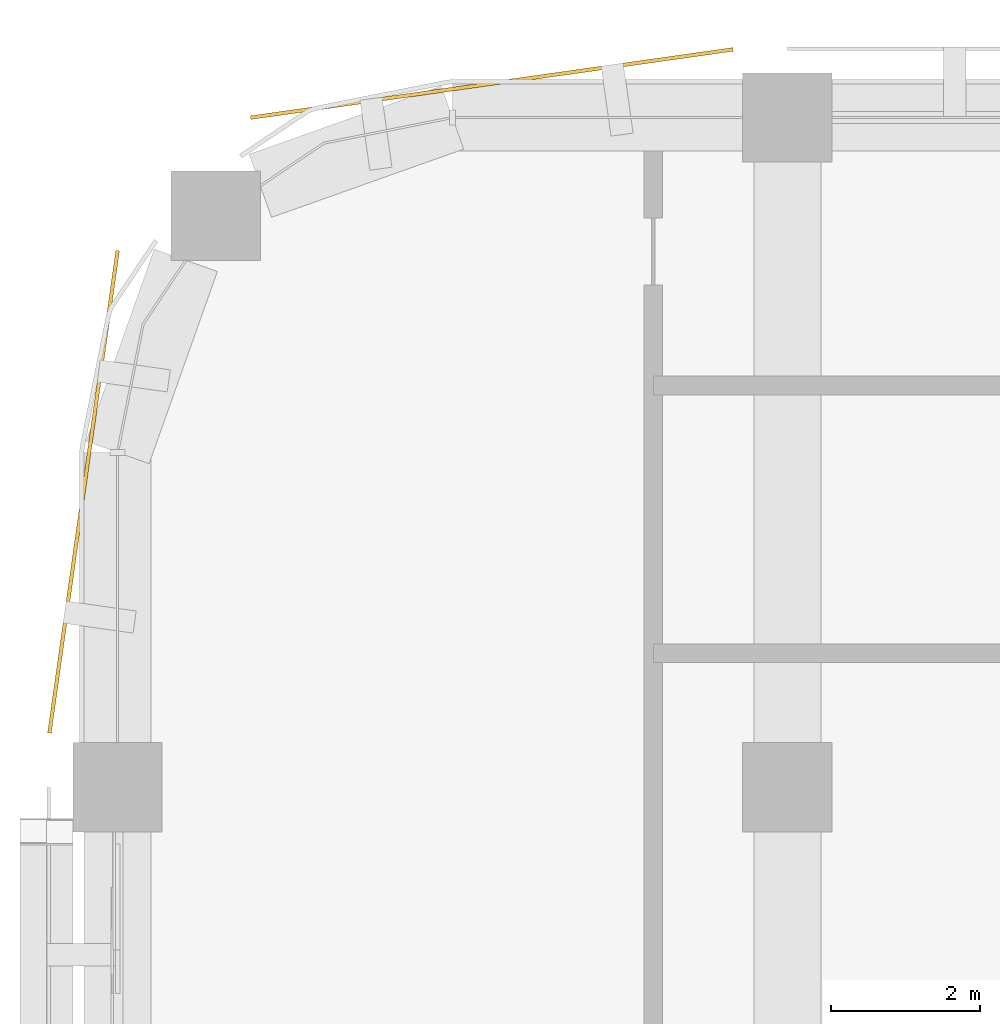
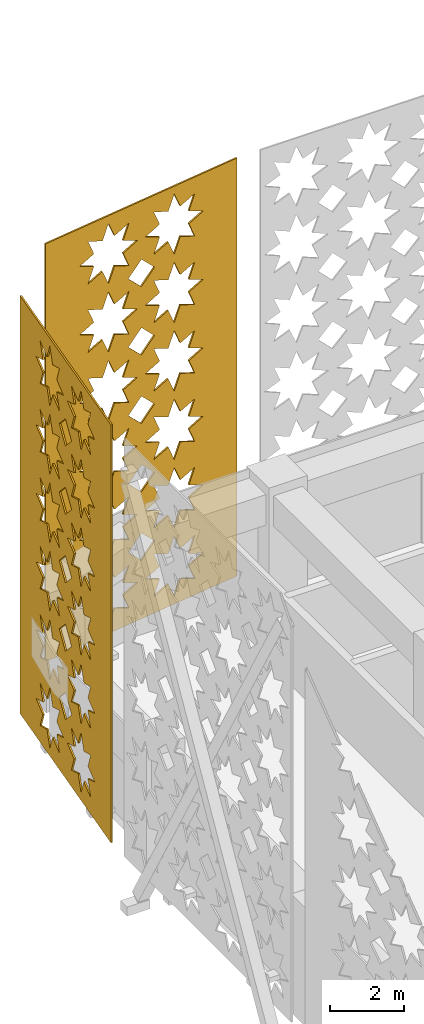
# One storey, part 13 of 17: 2 coverings.
"""IFC4 building model written with IfcOpenShell, lengths in metres."""

from ifc_helpers import new_model, si_unit, direction, frame, origin, place, context, subcontext, project, spatial, polyline, outline, extrude, material, layer, layer_set, type_object, element, save


model = new_model("IFC4")

# Units and contexts
model_context = context("Model", 3, precision=1e-05, world=origin(), true_north=direction((0.0, 1.0)))
body_context = subcontext(model_context, "Body", "Model", "MODEL_VIEW")
ifc_project = project(units=[si_unit("LENGTHUNIT", "METRE"), si_unit("AREAUNIT", "SQUARE_METRE"), si_unit("VOLUMEUNIT", "CUBIC_METRE"), si_unit("PLANEANGLEUNIT", "RADIAN"), si_unit("MASSUNIT", "GRAM", prefix="KILO")], contexts=[model_context])

# Site, building, storey
site_placement = place(None, origin())
site = spatial("IfcSite", under=ifc_project, at=site_placement, CompositionType="ELEMENT")
building_placement = place(site_placement, origin())
building = spatial("IfcBuilding", under=site, at=building_placement, Name="Tessera Arch", CompositionType="ELEMENT")
storey_placement = place(building_placement, frame((0.0, 0.0, 281.300048828125)))
storey = spatial("IfcBuildingStorey", under=building, at=storey_placement, Name="L68", CompositionType="ELEMENT", Elevation=281.300048828125)

# Coverings
ifc_material = material(Name="Anodised aluminium pale metal", Category="aluminium")
ifc_layer = layer(ifc_material, 0.050048828125)
ifc_layer_set = layer_set([ifc_layer], Name="Pierced screen panel corner bay")
covering_type = type_object("IfcCoveringType", Name="Pierced screen panel corner bay", PredefinedType="CLADDING", material=ifc_layer_set)
covering_1_placement = place(storey_placement, frame((26.27392578125, 54.89111328125, 13.89990234375), z_axis=(0.140074186016, -0.990141011378, 0.0), x_axis=(-0.990141011378, -0.140074186016, 0.0)))
element("IfcCovering", 1, at=covering_1_placement, inside=storey, type_object=covering_type, Name="SCREEN pierced panel N54.18/3 L68-L70", PredefinedType="CLADDING", context=body_context, shape_type="SweptSolid", body=[
    extrude(outline(polyline([(0.0, 0.0), (6.546475218445481, 0.0), (6.546475218445481, 13.739990234375), (0.0, 13.739990234375), (0.0, 0.0)]), holes=[polyline([(3.1378926073747033, 12.494873046875), (2.646957140062835, 12.287841796875), (2.8479028079497066, 11.794921875), (2.354999273675671, 11.995849609375), (2.147907671256942, 11.5048828125), (1.941990539265672, 11.995849609375), (1.4481200704102128, 11.794921875), (1.6490657382970841, 12.287841796875), (1.158130270985216, 12.494873046875), (1.6490657382970841, 12.701904296875), (1.4481200704102128, 13.195068359375), (1.941990539265672, 12.993896484375), (2.147907671256942, 13.48486328125), (2.354999273675671, 12.993896484375), (2.8479028079497066, 13.195068359375), (2.646957140062835, 12.701904296875), (3.1378926073747033, 12.494873046875)]), polyline([(3.1378926073747033, 10.244873046875), (2.646957140062835, 10.037841796875), (2.8479028079497066, 9.544921875), (2.354999273675671, 9.745849609375), (2.147907671256942, 9.2548828125), (1.941990539265672, 9.745849609375), (1.4481200704102128, 9.544921875), (1.6490657382970841, 10.037841796875), (1.158130270985216, 10.244873046875), (1.6490657382970841, 10.451904296875), (1.4481200704102128, 10.945068359375), (1.941990539265672, 10.743896484375), (2.147907671256942, 11.23486328125), (2.354999273675671, 10.743896484375), (2.8479028079497066, 10.945068359375), (2.646957140062835, 10.451904296875), (3.1378926073747033, 10.244873046875)]), polyline([(3.1378926073747033, 7.994873046875), (2.646957140062835, 7.787841796875), (2.8479028079497066, 7.294921875), (2.354999273675671, 7.495849609375), (2.147907671256942, 7.0048828125), (1.941990539265672, 7.495849609375), (1.4481200704102128, 7.294921875), (1.6490657382970841, 7.787841796875), (1.158130270985216, 7.994873046875), (1.6490657382970841, 8.201904296875), (1.4481200704102128, 8.695068359375), (1.941990539265672, 8.493896484375), (2.147907671256942, 8.98486328125), (2.354999273675671, 8.493896484375), (2.8479028079497066, 8.695068359375), (2.646957140062835, 8.201904296875), (3.1378926073747033, 7.994873046875)]), polyline([(3.1378926073747033, 5.744873046875), (2.646957140062835, 5.537841796875), (2.8479028079497066, 5.044921875), (2.354999273675671, 5.245849609375), (2.147907671256942, 4.7548828125), (1.941990539265672, 5.245849609375), (1.4481200704102128, 5.044921875), (1.6490657382970841, 5.537841796875), (1.158130270985216, 5.744873046875), (1.6490657382970841, 5.951904296875), (1.4481200704102128, 6.445068359375), (1.941990539265672, 6.243896484375), (2.147907671256942, 6.73486328125), (2.354999273675671, 6.243896484375), (2.8479028079497066, 6.445068359375), (2.646957140062835, 5.951904296875), (3.1378926073747033, 5.744873046875)]), polyline([(3.1378926073747033, 3.494873046875), (2.646957140062835, 3.287841796875), (2.8479028079497066, 2.794921875), (2.354999273675671, 2.995849609375), (2.147907671256942, 2.5048828125), (1.941990539265672, 2.995849609375), (1.4481200704102128, 2.794921875), (1.6490657382970841, 3.287841796875), (1.158130270985216, 3.494873046875), (1.6490657382970841, 3.701904296875), (1.4481200704102128, 4.195068359375), (1.941990539265672, 3.993896484375), (2.147907671256942, 4.48486328125), (2.354999273675671, 3.993896484375), (2.8479028079497066, 4.195068359375), (2.646957140062835, 3.701904296875), (3.1378926073747033, 3.494873046875)]), polyline([(3.1378926073747033, 1.244873046875), (2.646957140062835, 1.037841796875), (2.8479028079497066, 0.544921875), (2.354999273675671, 0.745849609375), (2.147907671256942, 0.2548828125), (1.941990539265672, 0.745849609375), (1.4481200704102128, 0.544921875), (1.6490657382970841, 1.037841796875), (1.158130270985216, 1.244873046875), (1.6490657382970841, 1.451904296875), (1.4481200704102128, 1.945068359375), (1.941990539265672, 1.743896484375), (2.147907671256942, 2.23486328125), (2.354999273675671, 1.743896484375), (2.8479028079497066, 1.945068359375), (2.646957140062835, 1.451904296875), (3.1378926073747033, 1.244873046875)]), polyline([(5.387861480169554, 12.494873046875), (4.896926012857686, 12.287841796875), (5.097871680744557, 11.794921875), (4.604968146470521, 11.995849609375), (4.398118277697149, 11.5048828125), (4.191959412060523, 11.995849609375), (3.698088943205064, 11.794921875), (3.899034611091935, 12.287841796875), (3.408099143780067, 12.494873046875), (3.899034611091935, 12.701904296875), (3.698088943205064, 13.195068359375), (4.191959412060523, 12.993896484375), (4.398118277697149, 13.48486328125), (4.604968146470521, 12.993896484375), (5.097871680744557, 13.195068359375), (4.896926012857686, 12.701904296875), (5.387861480169554, 12.494873046875)]), polyline([(5.387861480169554, 10.244873046875), (4.896926012857686, 10.037841796875), (5.097871680744557, 9.544921875), (4.604968146470521, 9.745849609375), (4.398118277697149, 9.2548828125), (4.191959412060523, 9.745849609375), (3.698088943205064, 9.544921875), (3.899034611091935, 10.037841796875), (3.408099143780067, 10.244873046875), (3.899034611091935, 10.451904296875), (3.698088943205064, 10.945068359375), (4.191959412060523, 10.743896484375), (4.398118277697149, 11.23486328125), (4.604968146470521, 10.743896484375), (5.097871680744557, 10.945068359375), (4.896926012857686, 10.451904296875), (5.387861480169554, 10.244873046875)]), polyline([(5.387861480169554, 7.994873046875), (4.896926012857686, 7.787841796875), (5.097871680744557, 7.294921875), (4.604968146470521, 7.495849609375), (4.398118277697149, 7.0048828125), (4.191959412060523, 7.495849609375), (3.698088943205064, 7.294921875), (3.899034611091935, 7.787841796875), (3.408099143780067, 7.994873046875), (3.899034611091935, 8.201904296875), (3.698088943205064, 8.695068359375), (4.191959412060523, 8.493896484375), (4.398118277697149, 8.98486328125), (4.604968146470521, 8.493896484375), (5.097871680744557, 8.695068359375), (4.896926012857686, 8.201904296875), (5.387861480169554, 7.994873046875)]), polyline([(5.387861480169554, 5.744873046875), (4.896926012857686, 5.537841796875), (5.097871680744557, 5.044921875), (4.604968146470521, 5.245849609375), (4.398118277697149, 4.7548828125), (4.191959412060523, 5.245849609375), (3.698088943205064, 5.044921875), (3.899034611091935, 5.537841796875), (3.408099143780067, 5.744873046875), (3.899034611091935, 5.951904296875), (3.698088943205064, 6.445068359375), (4.191959412060523, 6.243896484375), (4.398118277697149, 6.73486328125), (4.604968146470521, 6.243896484375), (5.097871680744557, 6.445068359375), (4.896926012857686, 5.951904296875), (5.387861480169554, 5.744873046875)]), polyline([(5.387861480169554, 3.494873046875), (4.896926012857686, 3.287841796875), (5.097871680744557, 2.794921875), (4.604968146470521, 2.995849609375), (4.398118277697149, 2.5048828125), (4.191959412060523, 2.995849609375), (3.698088943205064, 2.794921875), (3.899034611091935, 3.287841796875), (3.408099143780067, 3.494873046875), (3.899034611091935, 3.701904296875), (3.698088943205064, 4.195068359375), (4.191959412060523, 3.993896484375), (4.398118277697149, 4.48486328125), (4.604968146470521, 3.993896484375), (5.097871680744557, 4.195068359375), (4.896926012857686, 3.701904296875), (5.387861480169554, 3.494873046875)]), polyline([(5.387861480169554, 1.244873046875), (4.896926012857686, 1.037841796875), (5.097871680744557, 0.544921875), (4.604968146470521, 0.745849609375), (4.398118277697149, 0.2548828125), (4.191959412060523, 0.745849609375), (3.698088943205064, 0.544921875), (3.899034611091935, 1.037841796875), (3.408099143780067, 1.244873046875), (3.899034611091935, 1.451904296875), (3.698088943205064, 1.945068359375), (4.191959412060523, 1.743896484375), (4.398118277697149, 2.23486328125), (4.604968146470521, 1.743896484375), (5.097871680744557, 1.945068359375), (4.896926012857686, 1.451904296875), (5.387861480169554, 1.244873046875)]), polyline([(3.7229828105764913, 11.369873046875), (3.272995875577385, 10.919921875), (2.823008940578279, 11.369873046875), (3.272995875577385, 11.820068359375), (3.7229828105764913, 11.369873046875)]), polyline([(3.7229828105764913, 9.119873046875), (3.272995875577385, 8.669921875), (2.823008940578279, 9.119873046875), (3.272995875577385, 9.570068359375), (3.7229828105764913, 9.119873046875)]), polyline([(3.7229828105764913, 6.869873046875), (3.272995875577385, 6.419921875), (2.823008940578279, 6.869873046875), (3.272995875577385, 7.320068359375), (3.7229828105764913, 6.869873046875)]), polyline([(3.7229828105764913, 4.619873046875), (3.272995875577385, 4.169921875), (2.823008940578279, 4.619873046875), (3.272995875577385, 5.070068359375), (3.7229828105764913, 4.619873046875)]), polyline([(3.7229828105764913, 2.369873046875), (3.272995875577385, 1.919921875), (2.823008940578279, 2.369873046875), (3.272995875577385, 2.820068359375), (3.7229828105764913, 2.369873046875)])]), origin(), (0.0, 0.0, -1.0), 0.050048828125),
])
covering_2_placement = place(storey_placement, frame((18.02587890625, 52.2080078125, 13.89990234375), z_axis=(0.990141011378, -0.140074186016, 0.0), x_axis=(-0.140074186016, -0.990141011378, 0.0)))
element("IfcCovering", 2, at=covering_2_placement, inside=storey, type_object=covering_type, Name="SCREEN pierced panel W18.27/0 L68-L70", PredefinedType="CLADDING", context=body_context, shape_type="SweptSolid", body=[
    extrude(outline(polyline([(0.0, 0.0), (6.546475218445481, 0.0), (6.546475218445481, 13.739990234375), (0.0, 13.739990234375), (0.0, 0.0)]), holes=[polyline([(3.137858409575383, 12.494873046875), (2.6469229422635148, 12.287841796875), (2.8479028079497066, 11.794921875), (2.354999273675671, 11.995849609375), (2.1478734734576217, 11.5048828125), (1.941990539265672, 11.995849609375), (1.447878336764857, 11.794921875), (1.6490657382970841, 12.287841796875), (1.15788853733986, 12.494873046875), (1.6490657382970841, 12.701904296875), (1.447878336764857, 13.195068359375), (1.941990539265672, 12.993896484375), (2.1478734734576217, 13.48486328125), (2.354999273675671, 12.993896484375), (2.8479028079497066, 13.195068359375), (2.6469229422635148, 12.701904296875), (3.137858409575383, 12.494873046875)]), polyline([(3.137858409575383, 10.244873046875), (2.6469229422635148, 10.037841796875), (2.8479028079497066, 9.544921875), (2.354999273675671, 9.745849609375), (2.1478734734576217, 9.2548828125), (1.941990539265672, 9.745849609375), (1.447878336764857, 9.544921875), (1.6490657382970841, 10.037841796875), (1.15788853733986, 10.244873046875), (1.6490657382970841, 10.451904296875), (1.447878336764857, 10.945068359375), (1.941990539265672, 10.743896484375), (2.1478734734576217, 11.23486328125), (2.354999273675671, 10.743896484375), (2.8479028079497066, 10.945068359375), (2.6469229422635148, 10.451904296875), (3.137858409575383, 10.244873046875)]), polyline([(3.137858409575383, 7.994873046875), (2.6469229422635148, 7.787841796875), (2.8479028079497066, 7.294921875), (2.354999273675671, 7.495849609375), (2.1478734734576217, 7.0048828125), (1.941990539265672, 7.495849609375), (1.447878336764857, 7.294921875), (1.6490657382970841, 7.787841796875), (1.15788853733986, 7.994873046875), (1.6490657382970841, 8.201904296875), (1.447878336764857, 8.695068359375), (1.941990539265672, 8.493896484375), (2.1478734734576217, 8.98486328125), (2.354999273675671, 8.493896484375), (2.8479028079497066, 8.695068359375), (2.6469229422635148, 8.201904296875), (3.137858409575383, 7.994873046875)]), polyline([(3.137858409575383, 5.744873046875), (2.6469229422635148, 5.537841796875), (2.8479028079497066, 5.044921875), (2.354999273675671, 5.245849609375), (2.1478734734576217, 4.7548828125), (1.941990539265672, 5.245849609375), (1.447878336764857, 5.044921875), (1.6490657382970841, 5.537841796875), (1.15788853733986, 5.744873046875), (1.6490657382970841, 5.951904296875), (1.447878336764857, 6.445068359375), (1.941990539265672, 6.243896484375), (2.1478734734576217, 6.73486328125), (2.354999273675671, 6.243896484375), (2.8479028079497066, 6.445068359375), (2.6469229422635148, 5.951904296875), (3.137858409575383, 5.744873046875)]), polyline([(3.137858409575383, 3.494873046875), (2.6469229422635148, 3.287841796875), (2.8479028079497066, 2.794921875), (2.354999273675671, 2.995849609375), (2.1478734734576217, 2.5048828125), (1.941990539265672, 2.995849609375), (1.447878336764857, 2.794921875), (1.6490657382970841, 3.287841796875), (1.15788853733986, 3.494873046875), (1.6490657382970841, 3.701904296875), (1.447878336764857, 4.195068359375), (1.941990539265672, 3.993896484375), (2.1478734734576217, 4.48486328125), (2.354999273675671, 3.993896484375), (2.8479028079497066, 4.195068359375), (2.6469229422635148, 3.701904296875), (3.137858409575383, 3.494873046875)]), polyline([(3.137858409575383, 1.244873046875), (2.6469229422635148, 1.037841796875), (2.8479028079497066, 0.544921875), (2.354999273675671, 0.745849609375), (2.1478734734576217, 0.2548828125), (1.941990539265672, 0.745849609375), (1.447878336764857, 0.544921875), (1.6490657382970841, 1.037841796875), (1.15788853733986, 1.244873046875), (1.6490657382970841, 1.451904296875), (1.447878336764857, 1.945068359375), (1.941990539265672, 1.743896484375), (2.1478734734576217, 2.23486328125), (2.354999273675671, 1.743896484375), (2.8479028079497066, 1.945068359375), (2.6469229422635148, 1.451904296875), (3.137858409575383, 1.244873046875)]), polyline([(5.387827282370234, 12.494873046875), (4.896891815058366, 12.287841796875), (5.097871680744557, 11.794921875), (4.604968146470521, 11.995849609375), (4.397842346252473, 11.5048828125), (4.191959412060523, 11.995849609375), (3.698088943205064, 11.794921875), (3.899034611091935, 12.287841796875), (3.407857410134711, 12.494873046875), (3.899034611091935, 12.701904296875), (3.698088943205064, 13.195068359375), (4.191959412060523, 12.993896484375), (4.397842346252473, 13.48486328125), (4.604968146470521, 12.993896484375), (5.097871680744557, 13.195068359375), (4.896891815058366, 12.701904296875), (5.387827282370234, 12.494873046875)]), polyline([(5.387827282370234, 10.244873046875), (4.896891815058366, 10.037841796875), (5.097871680744557, 9.544921875), (4.604968146470521, 9.745849609375), (4.397842346252473, 9.2548828125), (4.191959412060523, 9.745849609375), (3.698088943205064, 9.544921875), (3.899034611091935, 10.037841796875), (3.407857410134711, 10.244873046875), (3.899034611091935, 10.451904296875), (3.698088943205064, 10.945068359375), (4.191959412060523, 10.743896484375), (4.397842346252473, 11.23486328125), (4.604968146470521, 10.743896484375), (5.097871680744557, 10.945068359375), (4.896891815058366, 10.451904296875), (5.387827282370234, 10.244873046875)]), polyline([(5.387827282370234, 7.994873046875), (4.896891815058366, 7.787841796875), (5.097871680744557, 7.294921875), (4.604968146470521, 7.495849609375), (4.397842346252473, 7.0048828125), (4.191959412060523, 7.495849609375), (3.698088943205064, 7.294921875), (3.899034611091935, 7.787841796875), (3.407857410134711, 7.994873046875), (3.899034611091935, 8.201904296875), (3.698088943205064, 8.695068359375), (4.191959412060523, 8.493896484375), (4.397842346252473, 8.98486328125), (4.604968146470521, 8.493896484375), (5.097871680744557, 8.695068359375), (4.896891815058366, 8.201904296875), (5.387827282370234, 7.994873046875)]), polyline([(5.387827282370234, 5.744873046875), (4.896891815058366, 5.537841796875), (5.097871680744557, 5.044921875), (4.604968146470521, 5.245849609375), (4.397842346252473, 4.7548828125), (4.191959412060523, 5.245849609375), (3.698088943205064, 5.044921875), (3.899034611091935, 5.537841796875), (3.407857410134711, 5.744873046875), (3.899034611091935, 5.951904296875), (3.698088943205064, 6.445068359375), (4.191959412060523, 6.243896484375), (4.397842346252473, 6.73486328125), (4.604968146470521, 6.243896484375), (5.097871680744557, 6.445068359375), (4.896891815058366, 5.951904296875), (5.387827282370234, 5.744873046875)]), polyline([(5.387827282370234, 3.494873046875), (4.896891815058366, 3.287841796875), (5.097871680744557, 2.794921875), (4.604968146470521, 2.995849609375), (4.397842346252473, 2.5048828125), (4.191959412060523, 2.995849609375), (3.698088943205064, 2.794921875), (3.899034611091935, 3.287841796875), (3.407857410134711, 3.494873046875), (3.899034611091935, 3.701904296875), (3.698088943205064, 4.195068359375), (4.191959412060523, 3.993896484375), (4.397842346252473, 4.48486328125), (4.604968146470521, 3.993896484375), (5.097871680744557, 4.195068359375), (4.896891815058366, 3.701904296875), (5.387827282370234, 3.494873046875)]), polyline([(5.387827282370234, 1.244873046875), (4.896891815058366, 1.037841796875), (5.097871680744557, 0.544921875), (4.604968146470521, 0.745849609375), (4.397842346252473, 0.2548828125), (4.191959412060523, 0.745849609375), (3.698088943205064, 0.544921875), (3.899034611091935, 1.037841796875), (3.407857410134711, 1.244873046875), (3.899034611091935, 1.451904296875), (3.698088943205064, 1.945068359375), (4.191959412060523, 1.743896484375), (4.397842346252473, 2.23486328125), (4.604968146470521, 1.743896484375), (5.097871680744557, 1.945068359375), (4.896891815058366, 1.451904296875), (5.387827282370234, 1.244873046875)]), polyline([(3.7229828105764913, 11.369873046875), (3.272995875577385, 10.919921875), (2.8229747427789587, 11.369873046875), (3.272995875577385, 11.820068359375), (3.7229828105764913, 11.369873046875)]), polyline([(3.7229828105764913, 9.119873046875), (3.272995875577385, 8.669921875), (2.8229747427789587, 9.119873046875), (3.272995875577385, 9.570068359375), (3.7229828105764913, 9.119873046875)]), polyline([(3.7229828105764913, 6.869873046875), (3.272995875577385, 6.419921875), (2.8229747427789587, 6.869873046875), (3.272995875577385, 7.320068359375), (3.7229828105764913, 6.869873046875)]), polyline([(3.7229828105764913, 4.619873046875), (3.272995875577385, 4.169921875), (2.8229747427789587, 4.619873046875), (3.272995875577385, 5.070068359375), (3.7229828105764913, 4.619873046875)]), polyline([(3.7229828105764913, 2.369873046875), (3.272995875577385, 1.919921875), (2.8229747427789587, 2.369873046875), (3.272995875577385, 2.820068359375), (3.7229828105764913, 2.369873046875)])]), origin(), (0.0, 0.0, -1.0), 0.050048828125),
])

save(model, "model.ifc")
